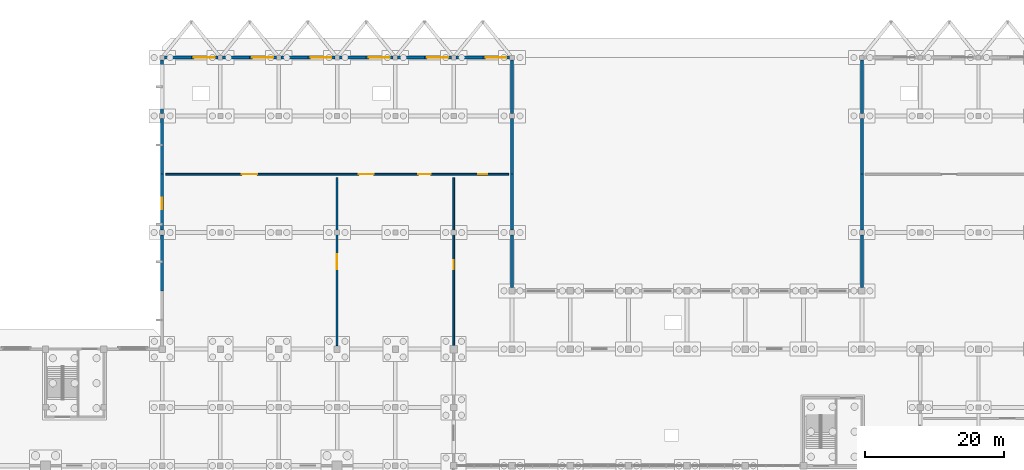
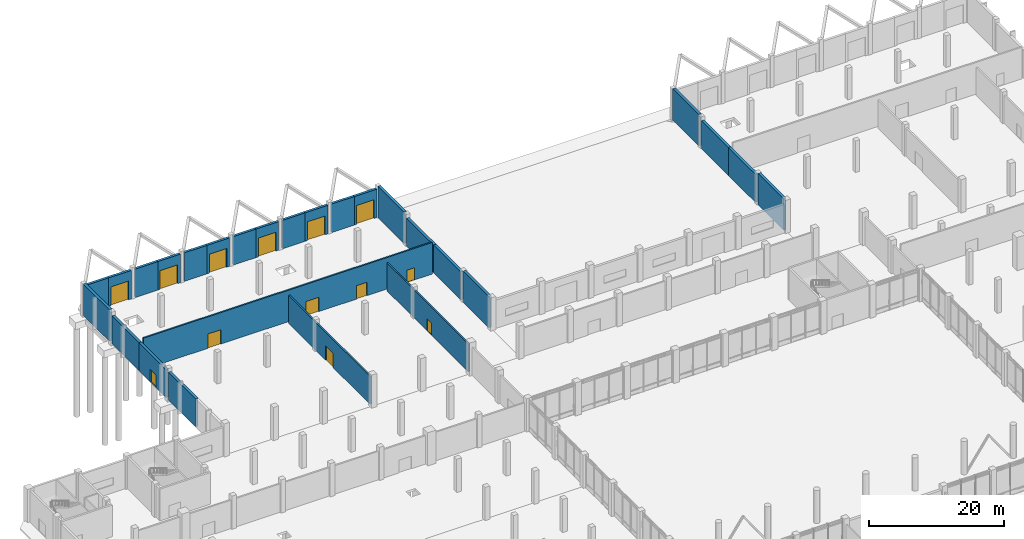
# One storey, part 61 of 72: 27 walls, 13 doors, 13 openings.
"""IFC4 building model written with IfcOpenShell, lengths in metres."""

from ifc_helpers import new_model, si_unit, direction, frame, frame_2d, origin, place, context, subcontext, project, spatial, rectangle, extrude, material, layer, layer_set, type_object, element, fill, save


model = new_model("IFC4")

# Units and contexts
model_context = context("Model", 3, precision=1e-05, world=origin(), true_north=direction((0.0, 1.0)))
body_context = subcontext(model_context, "Body", "Model", "MODEL_VIEW")
ifc_project = project(units=[si_unit("LENGTHUNIT", "METRE"), si_unit("AREAUNIT", "SQUARE_METRE"), si_unit("VOLUMEUNIT", "CUBIC_METRE"), si_unit("PLANEANGLEUNIT", "RADIAN"), si_unit("MASSUNIT", "GRAM", prefix="KILO")], contexts=[model_context])

# Site, building, storey
site_placement = place(None, origin())
site = spatial("IfcSite", under=ifc_project, at=site_placement, CompositionType="ELEMENT")
building_placement = place(site_placement, origin())
building = spatial("IfcBuilding", under=site, at=building_placement, Name="Qawsi Khor Wholesale Market", CompositionType="ELEMENT")
storey_placement = place(building_placement, origin())
storey = spatial("IfcBuildingStorey", under=building, at=storey_placement, Name="L00", CompositionType="ELEMENT", Elevation=0.0)

# Wall
ifc_material_1 = material(Name="Concrete C40/50", Category="concrete")
ifc_layer_1 = layer(ifc_material_1, 0.409912109375, Name="Concrete C40/50")
ifc_layer_set_1 = layer_set([ifc_layer_1], Name="Concrete C40/50")
wall_type_1 = type_object("IfcWallType", Name="Cold-Store Dock Apron Wall 410", PredefinedType="SOLIDWALL", material=ifc_layer_set_1)
wall_1_placement = place(storey_placement, frame((33.929931640625, 151.199951171875, 0.0), z_axis=(0.0, 0.0, 1.0), x_axis=(1.0, 0.0, 0.0)))
element("IfcWall", 1, at=wall_1_placement, inside=storey, type_object=wall_type_1, Name="EW-L00-NWC-DCK-01", PredefinedType="SOLIDWALL", context=body_context, shape_type="SweptSolid", body=[
    extrude(rectangle(XDim=3.8701171875, YDim=0.409912109375, at=frame_2d((1.93505859375, 0.0))), origin(), (0.0, 0.0, 1.0), 5.159912109375),
])

# Wall, opening, door
wall_2_placement = place(storey_placement, frame((37.800048828125, 151.199951171875, 0.0), z_axis=(0.0, 0.0, 1.0), x_axis=(1.0, 0.0, 0.0)))
wall_2 = element("IfcWall", 2, at=wall_2_placement, inside=storey, type_object=wall_type_1, Name="EW-L00-NWC-DCK-02", PredefinedType="SOLIDWALL", context=body_context, shape_type="SweptSolid", body=[
    extrude(rectangle(XDim=3.869873046875, YDim=0.409912109375, at=frame_2d((1.93505859375, 0.0))), origin(), (0.0, 0.0, 1.0), 5.159912109375),
])
opening_1_placement = place(wall_2_placement, frame((0.389892578125, 0.0, 0.0)))
opening_1 = element("IfcOpeningElement", 3, at=opening_1_placement, cuts=wall_2, Name="Opening DD-02", PredefinedType="OPENING", context=body_context, shape_type="SweptSolid", body=[
    extrude(rectangle(XDim=3.0, YDim=3.39990234375, at=frame_2d((1.5, 1.699951171875))), frame((0.0, 0.21484375, 0.0), z_axis=(0.0, -1.0, 0.0), x_axis=(1.0, 0.0, 0.0)), (0.0, 0.0, 1.0), 0.429931640625),
])
ifc_material_2 = material(Name="Powder-Coated Galvanised Steel & Glazing", Category="steel")
door_type_1 = type_object("IfcDoorType", Name="Cold-Store Rapid Dock Door 3000x3400", OperationType="NOTDEFINED", PredefinedType="DOOR", material=ifc_material_2)
door_1_placement = place(opening_1_placement, origin())
door_1 = element("IfcDoor", 4, at=door_1_placement, inside=storey, type_object=door_type_1, Name="Loading dock door NWC-02", OperationType="SLIDING_TO_RIGHT", OverallHeight=3.39990234375, OverallWidth=3.0, PredefinedType="DOOR", context=body_context, shape_type="SweptSolid", body=[
    extrude(rectangle(XDim=3.0, YDim=3.39990234375, at=frame_2d((1.5, 1.699951171875))), frame((0.0, 0.02490234375, 0.0), z_axis=(0.0, -1.0, 0.0), x_axis=(1.0, 0.0, 0.0)), (0.0, 0.0, 1.0), 0.050048828125),
])
fill(opening_1, door_1)

# Wall
wall_3_placement = place(storey_placement, frame((42.330078125, 151.199951171875, 0.0), z_axis=(0.0, 0.0, 1.0), x_axis=(1.0, 0.0, 0.0)))
element("IfcWall", 5, at=wall_3_placement, inside=storey, type_object=wall_type_1, Name="EW-L00-NWC-DCK-03", PredefinedType="SOLIDWALL", context=body_context, shape_type="SweptSolid", body=[
    extrude(rectangle(XDim=3.869873046875, YDim=0.409912109375, at=frame_2d((1.93505859375, 0.0))), origin(), (0.0, 0.0, 1.0), 5.159912109375),
])

# Wall, opening, door
wall_4_placement = place(storey_placement, frame((46.199951171875, 151.199951171875, 0.0), z_axis=(0.0, 0.0, 1.0), x_axis=(1.0, 0.0, 0.0)))
wall_4 = element("IfcWall", 6, at=wall_4_placement, inside=storey, type_object=wall_type_1, Name="EW-L00-NWC-DCK-04", PredefinedType="SOLIDWALL", context=body_context, shape_type="SweptSolid", body=[
    extrude(rectangle(XDim=3.8701171875, YDim=0.409912109375, at=frame_2d((1.93505859375, 0.0))), origin(), (0.0, 0.0, 1.0), 5.159912109375),
])
opening_2_placement = place(wall_4_placement, frame((0.389892578125, 0.0, 0.0)))
opening_2 = element("IfcOpeningElement", 7, at=opening_2_placement, cuts=wall_4, Name="Opening DD-02", PredefinedType="OPENING", context=body_context, shape_type="SweptSolid", body=[
    extrude(rectangle(XDim=3.0, YDim=3.39990234375, at=frame_2d((1.5, 1.699951171875))), frame((0.0, 0.21484375, 0.0), z_axis=(0.0, -1.0, 0.0), x_axis=(1.0, 0.0, 0.0)), (0.0, 0.0, 1.0), 0.429931640625),
])
door_2_placement = place(opening_2_placement, origin())
door_2 = element("IfcDoor", 8, at=door_2_placement, inside=storey, type_object=door_type_1, Name="Loading dock door NWC-04", OperationType="SLIDING_TO_RIGHT", OverallHeight=3.39990234375, OverallWidth=3.0, PredefinedType="DOOR", context=body_context, shape_type="SweptSolid", body=[
    extrude(rectangle(XDim=3.0, YDim=3.39990234375, at=frame_2d((1.5, 1.699951171875))), frame((0.0, 0.02490234375, 0.0), z_axis=(0.0, -1.0, 0.0), x_axis=(1.0, 0.0, 0.0)), (0.0, 0.0, 1.0), 0.050048828125),
])
fill(opening_2, door_2)

# Wall
wall_5_placement = place(storey_placement, frame((50.72998046875, 151.199951171875, 0.0), z_axis=(0.0, 0.0, 1.0), x_axis=(1.0, 0.0, 0.0)))
element("IfcWall", 9, at=wall_5_placement, inside=storey, type_object=wall_type_1, Name="EW-L00-NWC-DCK-05", PredefinedType="SOLIDWALL", context=body_context, shape_type="SweptSolid", body=[
    extrude(rectangle(XDim=3.8701171875, YDim=0.409912109375, at=frame_2d((1.93505859375, 0.0))), origin(), (0.0, 0.0, 1.0), 5.159912109375),
])

# Wall, opening, door
wall_6_placement = place(storey_placement, frame((54.60009765625, 151.199951171875, 0.0), z_axis=(0.0, 0.0, 1.0), x_axis=(1.0, 0.0, 0.0)))
wall_6 = element("IfcWall", 10, at=wall_6_placement, inside=storey, type_object=wall_type_1, Name="EW-L00-NWC-DCK-06", PredefinedType="SOLIDWALL", context=body_context, shape_type="SweptSolid", body=[
    extrude(rectangle(XDim=3.869873046875, YDim=0.409912109375, at=frame_2d((1.93505859375, 0.0))), origin(), (0.0, 0.0, 1.0), 5.159912109375),
])
opening_3_placement = place(wall_6_placement, frame((0.389892578125, 0.0, 0.0)))
opening_3 = element("IfcOpeningElement", 11, at=opening_3_placement, cuts=wall_6, Name="Opening DD-02", PredefinedType="OPENING", context=body_context, shape_type="SweptSolid", body=[
    extrude(rectangle(XDim=3.0, YDim=3.39990234375, at=frame_2d((1.5, 1.699951171875))), frame((0.0, 0.21484375, 0.0), z_axis=(0.0, -1.0, 0.0), x_axis=(1.0, 0.0, 0.0)), (0.0, 0.0, 1.0), 0.429931640625),
])
door_3_placement = place(opening_3_placement, origin())
door_3 = element("IfcDoor", 12, at=door_3_placement, inside=storey, type_object=door_type_1, Name="Loading dock door NWC-06", OperationType="SLIDING_TO_RIGHT", OverallHeight=3.39990234375, OverallWidth=3.0, PredefinedType="DOOR", context=body_context, shape_type="SweptSolid", body=[
    extrude(rectangle(XDim=3.0, YDim=3.39990234375, at=frame_2d((1.5, 1.699951171875))), frame((0.0, 0.02490234375, 0.0), z_axis=(0.0, -1.0, 0.0), x_axis=(1.0, 0.0, 0.0)), (0.0, 0.0, 1.0), 0.050048828125),
])
fill(opening_3, door_3)

# Wall
wall_7_placement = place(storey_placement, frame((59.1298828125, 151.199951171875, 0.0), z_axis=(0.0, 0.0, 1.0), x_axis=(1.0, 0.0, 0.0)))
element("IfcWall", 13, at=wall_7_placement, inside=storey, type_object=wall_type_1, Name="EW-L00-NWC-DCK-07", PredefinedType="SOLIDWALL", context=body_context, shape_type="SweptSolid", body=[
    extrude(rectangle(XDim=3.8701171875, YDim=0.409912109375, at=frame_2d((1.93505859375, 0.0))), origin(), (0.0, 0.0, 1.0), 5.159912109375),
])

# Wall, opening, door
wall_8_placement = place(storey_placement, frame((63.0, 151.199951171875, 0.0), z_axis=(0.0, 0.0, 1.0), x_axis=(1.0, 0.0, 0.0)))
wall_8 = element("IfcWall", 14, at=wall_8_placement, inside=storey, type_object=wall_type_1, Name="EW-L00-NWC-DCK-08", PredefinedType="SOLIDWALL", context=body_context, shape_type="SweptSolid", body=[
    extrude(rectangle(XDim=3.8701171875, YDim=0.409912109375, at=frame_2d((1.93505859375, 0.0))), origin(), (0.0, 0.0, 1.0), 5.159912109375),
])
opening_4_placement = place(wall_8_placement, frame((0.389892578125, 0.0, 0.0)))
opening_4 = element("IfcOpeningElement", 15, at=opening_4_placement, cuts=wall_8, Name="Opening DD-02", PredefinedType="OPENING", context=body_context, shape_type="SweptSolid", body=[
    extrude(rectangle(XDim=3.0, YDim=3.39990234375, at=frame_2d((1.5, 1.699951171875))), frame((0.0, 0.21484375, 0.0), z_axis=(0.0, -1.0, 0.0), x_axis=(1.0, 0.0, 0.0)), (0.0, 0.0, 1.0), 0.429931640625),
])
door_4_placement = place(opening_4_placement, origin())
door_4 = element("IfcDoor", 16, at=door_4_placement, inside=storey, type_object=door_type_1, Name="Loading dock door NWC-08", OperationType="SLIDING_TO_RIGHT", OverallHeight=3.39990234375, OverallWidth=3.0, PredefinedType="DOOR", context=body_context, shape_type="SweptSolid", body=[
    extrude(rectangle(XDim=3.0, YDim=3.39990234375, at=frame_2d((1.5, 1.699951171875))), frame((0.0, 0.02490234375, 0.0), z_axis=(0.0, -1.0, 0.0), x_axis=(1.0, 0.0, 0.0)), (0.0, 0.0, 1.0), 0.050048828125),
])
fill(opening_4, door_4)

# Wall
wall_9_placement = place(storey_placement, frame((67.530029296875, 151.199951171875, 0.0), z_axis=(0.0, 0.0, 1.0), x_axis=(1.0, 0.0, 0.0)))
element("IfcWall", 17, at=wall_9_placement, inside=storey, type_object=wall_type_1, Name="EW-L00-NWC-DCK-09", PredefinedType="SOLIDWALL", context=body_context, shape_type="SweptSolid", body=[
    extrude(rectangle(XDim=3.869873046875, YDim=0.409912109375, at=frame_2d((1.93505859375, 0.0))), origin(), (0.0, 0.0, 1.0), 5.159912109375),
])

# Wall, opening, door
wall_10_placement = place(storey_placement, frame((71.39990234375, 151.199951171875, 0.0), z_axis=(0.0, 0.0, 1.0), x_axis=(1.0, 0.0, 0.0)))
wall_10 = element("IfcWall", 18, at=wall_10_placement, inside=storey, type_object=wall_type_1, Name="EW-L00-NWC-DCK-10", PredefinedType="SOLIDWALL", context=body_context, shape_type="SweptSolid", body=[
    extrude(rectangle(XDim=3.8701171875, YDim=0.409912109375, at=frame_2d((1.93505859375, 0.0))), origin(), (0.0, 0.0, 1.0), 5.159912109375),
])
opening_5_placement = place(wall_10_placement, frame((0.389892578125, 0.0, 0.0)))
opening_5 = element("IfcOpeningElement", 19, at=opening_5_placement, cuts=wall_10, Name="Opening DD-02", PredefinedType="OPENING", context=body_context, shape_type="SweptSolid", body=[
    extrude(rectangle(XDim=3.0, YDim=3.39990234375, at=frame_2d((1.5, 1.699951171875))), frame((0.0, 0.21484375, 0.0), z_axis=(0.0, -1.0, 0.0), x_axis=(1.0, 0.0, 0.0)), (0.0, 0.0, 1.0), 0.429931640625),
])
door_5_placement = place(opening_5_placement, origin())
door_5 = element("IfcDoor", 20, at=door_5_placement, inside=storey, type_object=door_type_1, Name="Loading dock door NWC-10", OperationType="SLIDING_TO_RIGHT", OverallHeight=3.39990234375, OverallWidth=3.0, PredefinedType="DOOR", context=body_context, shape_type="SweptSolid", body=[
    extrude(rectangle(XDim=3.0, YDim=3.39990234375, at=frame_2d((1.5, 1.699951171875))), frame((0.0, 0.02490234375, 0.0), z_axis=(0.0, -1.0, 0.0), x_axis=(1.0, 0.0, 0.0)), (0.0, 0.0, 1.0), 0.050048828125),
])
fill(opening_5, door_5)

# Wall
wall_11_placement = place(storey_placement, frame((75.929931640625, 151.199951171875, 0.0), z_axis=(0.0, 0.0, 1.0), x_axis=(1.0, 0.0, 0.0)))
element("IfcWall", 21, at=wall_11_placement, inside=storey, type_object=wall_type_1, Name="EW-L00-NWC-DCK-11", PredefinedType="SOLIDWALL", context=body_context, shape_type="SweptSolid", body=[
    extrude(rectangle(XDim=3.8701171875, YDim=0.409912109375, at=frame_2d((1.93505859375, 0.0))), origin(), (0.0, 0.0, 1.0), 5.159912109375),
])

# Wall, opening, door
wall_12_placement = place(storey_placement, frame((79.800048828125, 151.199951171875, 0.0), z_axis=(0.0, 0.0, 1.0), x_axis=(1.0, 0.0, 0.0)))
wall_12 = element("IfcWall", 22, at=wall_12_placement, inside=storey, type_object=wall_type_1, Name="EW-L00-NWC-DCK-12", PredefinedType="SOLIDWALL", context=body_context, shape_type="SweptSolid", body=[
    extrude(rectangle(XDim=3.869873046875, YDim=0.409912109375, at=frame_2d((1.93505859375, 0.0))), origin(), (0.0, 0.0, 1.0), 5.159912109375),
])
opening_6_placement = place(wall_12_placement, frame((0.389892578125, 0.0, 0.0)))
opening_6 = element("IfcOpeningElement", 23, at=opening_6_placement, cuts=wall_12, Name="Opening DD-02", PredefinedType="OPENING", context=body_context, shape_type="SweptSolid", body=[
    extrude(rectangle(XDim=3.0, YDim=3.39990234375, at=frame_2d((1.5, 1.699951171875))), frame((0.0, 0.21484375, 0.0), z_axis=(0.0, -1.0, 0.0), x_axis=(1.0, 0.0, 0.0)), (0.0, 0.0, 1.0), 0.429931640625),
])
door_6_placement = place(opening_6_placement, origin())
door_6 = element("IfcDoor", 24, at=door_6_placement, inside=storey, type_object=door_type_1, Name="Loading dock door NWC-12", OperationType="SLIDING_TO_RIGHT", OverallHeight=3.39990234375, OverallWidth=3.0, PredefinedType="DOOR", context=body_context, shape_type="SweptSolid", body=[
    extrude(rectangle(XDim=3.0, YDim=3.39990234375, at=frame_2d((1.5, 1.699951171875))), frame((0.0, 0.02490234375, 0.0), z_axis=(0.0, -1.0, 0.0), x_axis=(1.0, 0.0, 0.0)), (0.0, 0.0, 1.0), 0.050048828125),
])
fill(opening_6, door_6)

# Wall, openings, doors
ifc_material_3 = material(Name="PIR-Insulated Precast Concrete C40/50", Category="concrete")
ifc_layer_2 = layer(ifc_material_3, 0.260009765625, Name="PIR-Insulated Precast Concrete C40/50")
ifc_layer_set_2 = layer_set([ifc_layer_2], Name="PIR-Insulated Precast Concrete C40/50")
wall_type_2 = type_object("IfcWallType", Name="Cold-Store Insulated Chamber Wall 260", PredefinedType="SOLIDWALL", material=ifc_layer_set_2)
wall_13_placement = place(storey_placement, frame((34.10009765625, 134.39990234375, 0.0), z_axis=(0.0, 0.0, 1.0), x_axis=(1.0, 0.0, 0.0)))
wall_13 = element("IfcWall", 25, at=wall_13_placement, inside=storey, type_object=wall_type_2, Name="PW-L00-001", PredefinedType="SOLIDWALL", context=body_context, shape_type="SweptSolid", body=[
    extrude(rectangle(XDim=49.39990234375, YDim=0.260009765625, at=frame_2d((24.699951171875, 0.0))), origin(), (0.0, 0.0, 1.0), 5.699951171875),
])
opening_7_placement = place(wall_13_placement, frame((11.0, 0.0, 0.0)))
opening_7 = element("IfcOpeningElement", 26, at=opening_7_placement, cuts=wall_13, Name="Opening ID-04", PredefinedType="OPENING", context=body_context, shape_type="SweptSolid", body=[
    extrude(rectangle(XDim=2.199951171875, YDim=2.60009765625, at=frame_2d((1.10009765625, 1.300048828125))), frame((0.0, 0.139892578125, 0.0), z_axis=(0.0, -1.0, 0.0), x_axis=(1.0, 0.0, 0.0)), (0.0, 0.0, 1.0), 0.280029296875),
])
opening_8_placement = place(wall_13_placement, frame((27.800048828125, 0.0, 0.0)))
opening_8 = element("IfcOpeningElement", 27, at=opening_8_placement, cuts=wall_13, Name="Opening ID-04", PredefinedType="OPENING", context=body_context, shape_type="SweptSolid", body=[
    extrude(rectangle(XDim=2.199951171875, YDim=2.60009765625, at=frame_2d((1.10009765625, 1.300048828125))), frame((0.0, 0.139892578125, 0.0), z_axis=(0.0, -1.0, 0.0), x_axis=(1.0, 0.0, 0.0)), (0.0, 0.0, 1.0), 0.280029296875),
])
opening_9_placement = place(wall_13_placement, frame((36.409912109375, 0.0, 0.0)))
opening_9 = element("IfcOpeningElement", 28, at=opening_9_placement, cuts=wall_13, Name="Opening ID-05", PredefinedType="OPENING", context=body_context, shape_type="SweptSolid", body=[
    extrude(rectangle(XDim=1.780029296875, YDim=2.419921875, at=frame_2d((0.89013671875, 1.2099609375))), frame((0.0, 0.139892578125, 0.0), z_axis=(0.0, -1.0, 0.0), x_axis=(1.0, 0.0, 0.0)), (0.0, 0.0, 1.0), 0.280029296875),
])
opening_10_placement = place(wall_13_placement, frame((45.0400390625, 0.0, 0.0)))
opening_10 = element("IfcOpeningElement", 29, at=opening_10_placement, cuts=wall_13, Name="Opening ID-13", PredefinedType="OPENING", context=body_context, shape_type="SweptSolid", body=[
    extrude(rectangle(XDim=1.320068359375, YDim=2.199951171875, at=frame_2d((0.66015625, 1.10009765625))), frame((0.0, 0.139892578125, 0.0), z_axis=(0.0, -1.0, 0.0), x_axis=(1.0, 0.0, 0.0)), (0.0, 0.0, 1.0), 0.280029296875),
])
ifc_material_4 = material(Name="Insulated Stainless Steel", Category="steel")
door_type_2 = type_object("IfcDoorType", Name="Cold-Store Insulated Sliding Door 2200x2600 FD60S", OperationType="NOTDEFINED", PredefinedType="DOOR", material=ifc_material_4)
door_7_placement = place(opening_7_placement, origin())
door_7 = element("IfcDoor", 30, at=door_7_placement, inside=storey, type_object=door_type_2, Name="Cold-Store Insulated Sliding Door 2200x2600 FD60S L00-001", OperationType="SLIDING_TO_LEFT", OverallHeight=2.60009765625, OverallWidth=2.199951171875, PredefinedType="DOOR", context=body_context, shape_type="SweptSolid", body=[
    extrude(rectangle(XDim=2.199951171875, YDim=2.60009765625, at=frame_2d((1.10009765625, 1.300048828125))), frame((0.0, 0.02490234375, 0.0), z_axis=(0.0, -1.0, 0.0), x_axis=(1.0, 0.0, 0.0)), (0.0, 0.0, 1.0), 0.050048828125),
])
fill(opening_7, door_7)
door_8_placement = place(opening_8_placement, origin())
door_8 = element("IfcDoor", 31, at=door_8_placement, inside=storey, type_object=door_type_2, Name="Cold-Store Insulated Sliding Door 2200x2600 FD60S L00-002", OperationType="SLIDING_TO_RIGHT", OverallHeight=2.60009765625, OverallWidth=2.199951171875, PredefinedType="DOOR", context=body_context, shape_type="SweptSolid", body=[
    extrude(rectangle(XDim=2.199951171875, YDim=2.60009765625, at=frame_2d((1.10009765625, 1.300048828125))), frame((0.0, 0.02490234375, 0.0), z_axis=(0.0, -1.0, 0.0), x_axis=(1.0, 0.0, 0.0)), (0.0, 0.0, 1.0), 0.050048828125),
])
fill(opening_8, door_8)
ifc_material_5 = material(Name="Galvanised Steel Fire Door", Category="steel")
door_type_3 = type_object("IfcDoorType", Name="Plant & Riser Fire Door 1320x2200 FD90S", OperationType="NOTDEFINED", PredefinedType="DOOR", material=ifc_material_5)
door_9_placement = place(opening_10_placement, origin())
door_9 = element("IfcDoor", 32, at=door_9_placement, inside=storey, type_object=door_type_3, Name="Plant & Riser Fire Door 1320x2200 FD90S L00-004", OperationType="SINGLE_SWING_RIGHT", OverallHeight=2.199951171875, OverallWidth=1.320068359375, PredefinedType="DOOR", context=body_context, shape_type="SweptSolid", body=[
    extrude(rectangle(XDim=1.320068359375, YDim=2.199951171875, at=frame_2d((0.66015625, 1.10009765625))), frame((0.0, 0.02490234375, 0.0), z_axis=(0.0, -1.0, 0.0), x_axis=(1.0, 0.0, 0.0)), (0.0, 0.0, 1.0), 0.050048828125),
])
fill(opening_10, door_9)
door_type_4 = type_object("IfcDoorType", Name="Ripening Room Gas-Tight Door 1780x2420 FD60S", OperationType="NOTDEFINED", PredefinedType="DOOR", material=ifc_material_4)
door_10_placement = place(opening_9_placement, origin())
door_10 = element("IfcDoor", 33, at=door_10_placement, inside=storey, type_object=door_type_4, Name="Ripening Room Gas-Tight Door 1780x2420 FD60S L00-003", OperationType="SINGLE_SWING_LEFT", OverallHeight=2.419921875, OverallWidth=1.780029296875, PredefinedType="DOOR", context=body_context, shape_type="SweptSolid", body=[
    extrude(rectangle(XDim=1.780029296875, YDim=2.419921875, at=frame_2d((0.89013671875, 1.2099609375))), frame((0.0, 0.02490234375, 0.0), z_axis=(0.0, -1.0, 0.0), x_axis=(1.0, 0.0, 0.0)), (0.0, 0.0, 1.0), 0.050048828125),
])
fill(opening_9, door_10)

# Wall, opening, door
wall_14_placement = place(storey_placement, frame((58.800048828125, 109.699951171875, 0.0), z_axis=(0.0, 0.0, 1.0), x_axis=(0.0, 1.0, 0.0)))
wall_14 = element("IfcWall", 34, at=wall_14_placement, inside=storey, type_object=wall_type_2, Name="PW-L00-002", PredefinedType="SOLIDWALL", context=body_context, shape_type="SweptSolid", body=[
    extrude(rectangle(XDim=24.199951171875, YDim=0.260009765625, at=frame_2d((12.10009765625, 0.0))), origin(), (0.0, 0.0, 1.0), 5.06005859375),
])
opening_11_placement = place(wall_14_placement, frame((11.0, 0.0, 0.0)))
opening_11 = element("IfcOpeningElement", 35, at=opening_11_placement, cuts=wall_14, Name="Opening ID-04", PredefinedType="OPENING", context=body_context, shape_type="SweptSolid", body=[
    extrude(rectangle(XDim=2.199951171875, YDim=2.60009765625, at=frame_2d((1.10009765625, 1.300048828125))), frame((0.0, 0.139892578125, 0.0), z_axis=(0.0, -1.0, 0.0), x_axis=(1.0, 0.0, 0.0)), (0.0, 0.0, 1.0), 0.280029296875),
])
door_11_placement = place(opening_11_placement, origin())
door_11 = element("IfcDoor", 36, at=door_11_placement, inside=storey, type_object=door_type_2, Name="Cold-Store Insulated Sliding Door 2200x2600 FD60S L00-005", OperationType="SLIDING_TO_LEFT", OverallHeight=2.60009765625, OverallWidth=2.199951171875, PredefinedType="DOOR", context=body_context, shape_type="SweptSolid", body=[
    extrude(rectangle(XDim=2.199951171875, YDim=2.60009765625, at=frame_2d((1.10009765625, 1.300048828125))), frame((0.0, 0.02490234375, 0.0), z_axis=(0.0, -1.0, 0.0), x_axis=(1.0, 0.0, 0.0)), (0.0, 0.0, 1.0), 0.050048828125),
])
fill(opening_11, door_11)

# Walls
ifc_layer_3 = layer(ifc_material_1, 0.449951171875, Name="Concrete C40/50")
ifc_layer_set_3 = layer_set([ifc_layer_3], Name="Concrete C40/50")
wall_type_3 = type_object("IfcWallType", Name="Cold-Store Thermal Sandwich Concrete Wall 450", PredefinedType="SOLIDWALL", material=ifc_layer_set_3)
wall_15_placement = place(storey_placement, frame((33.60009765625, 117.60009765625, 0.0), z_axis=(0.0, 0.0, 1.0), x_axis=(0.0, 1.0, 0.0)))
element("IfcWall", 37, at=wall_15_placement, inside=storey, type_object=wall_type_3, Name="EW-L00-NWC-OUT-14", PredefinedType="SOLIDWALL", context=body_context, shape_type="SweptSolid", body=[
    extrude(rectangle(XDim=8.02001953125, YDim=0.449951171875, at=frame_2d((4.010009765625, 0.0))), origin(), (0.0, 0.0, 1.0), 5.06005859375),
])
wall_16_placement = place(storey_placement, frame((84.0, 125.6201171875, 0.0), z_axis=(0.0, 0.0, 1.0), x_axis=(0.0, -1.0, 0.0)))
element("IfcWall", 38, at=wall_16_placement, inside=storey, type_object=wall_type_3, Name="EW-L00-NWC-IN-14", PredefinedType="SOLIDWALL", context=body_context, shape_type="SweptSolid", body=[
    extrude(rectangle(XDim=7.565185546875, YDim=0.449951171875, at=frame_2d((3.78271484375, 0.0))), origin(), (0.0, 0.0, 1.0), 5.699951171875),
])

# Wall, opening, door
wall_17_placement = place(storey_placement, frame((33.60009765625, 126.3798828125, 0.0), z_axis=(0.0, 0.0, 1.0), x_axis=(0.0, 1.0, 0.0)))
wall_17 = element("IfcWall", 39, at=wall_17_placement, inside=storey, type_object=wall_type_3, Name="EW-L00-NWC-OUT-15", PredefinedType="SOLIDWALL", context=body_context, shape_type="SweptSolid", body=[
    extrude(rectangle(XDim=8.02001953125, YDim=0.449951171875, at=frame_2d((4.010009765625, 0.0))), origin(), (0.0, 0.0, 1.0), 5.06005859375),
])
opening_12_placement = place(wall_17_placement, frame((2.97998046875, 0.0, 0.0)))
opening_12 = element("IfcOpeningElement", 40, at=opening_12_placement, cuts=wall_17, Name="Opening ED-08", PredefinedType="OPENING", context=body_context, shape_type="SweptSolid", body=[
    extrude(rectangle(XDim=1.679931640625, YDim=2.239990234375, at=frame_2d((0.83984375, 1.1201171875))), frame((0.0, 0.23486328125, 0.0), z_axis=(0.0, -1.0, 0.0), x_axis=(1.0, 0.0, 0.0)), (0.0, 0.0, 1.0), 0.469970703125),
])
door_type_5 = type_object("IfcDoorType", Name="Plant & Substation Louvred Double Door 1680x2240 FD90S", OperationType="NOTDEFINED", PredefinedType="DOOR", material=ifc_material_2)
door_12_placement = place(opening_12_placement, origin())
door_12 = element("IfcDoor", 41, at=door_12_placement, inside=storey, type_object=door_type_5, Name="NWC Plant Exit Door", OperationType="DOUBLE_DOOR_SINGLE_SWING", OverallHeight=2.239990234375, OverallWidth=1.679931640625, PredefinedType="DOOR", context=body_context, shape_type="SweptSolid", body=[
    extrude(rectangle(XDim=1.679931640625, YDim=2.239990234375, at=frame_2d((0.83984375, 1.1201171875))), frame((0.0, 0.02490234375, 0.0), z_axis=(0.0, -1.0, 0.0), x_axis=(1.0, 0.0, 0.0)), (0.0, 0.0, 1.0), 0.050048828125),
])
fill(opening_12, door_12)

# Walls
for number, where, z_axis, x_axis, name in (
    (42, (84.0, 134.39990234375, 0.0), (0.0, 0.0, 1.0), (0.0, -1.0, 0.0), "EW-L00-NWC-IN-15"),
    (43, (33.60009765625, 134.39990234375, 0.0), (0.0, 0.0, 1.0), (0.0, 1.0, 0.0), "EW-L00-NWC-OUT-16"),
    (44, (84.0, 142.419921875, 0.0), (0.0, 0.0, 1.0), (0.0, -1.0, 0.0), "EW-L00-NWC-IN-16"),
):
    element("IfcWall", number, at=place(storey_placement, frame(where, z_axis=z_axis, x_axis=x_axis)), inside=storey, type_object=wall_type_3, Name=name, PredefinedType="SOLIDWALL", context=body_context, shape_type="SweptSolid", body=[
        extrude(rectangle(XDim=8.02001953125, YDim=0.449951171875, at=frame_2d((4.010009765625, 0.0))), origin(), (0.0, 0.0, 1.0), 5.06005859375),
    ])
for number, where, z_axis, x_axis, name in (
    (45, (33.60009765625, 143.179931640625, 0.0), (0.0, 0.0, 1.0), (0.0, 1.0, 0.0), "EW-L00-NWC-OUT-17"),
    (46, (84.0, 150.8701171875, 0.0), (0.0, 0.0, 1.0), (0.0, -1.0, 0.0), "EW-L00-NWC-IN-17"),
):
    element("IfcWall", number, at=place(storey_placement, frame(where, z_axis=z_axis, x_axis=x_axis)), inside=storey, type_object=wall_type_3, Name=name, PredefinedType="SOLIDWALL", context=body_context, shape_type="SweptSolid", body=[
        extrude(rectangle(XDim=7.690185546875, YDim=0.449951171875, at=frame_2d((3.84521484375, 0.0))), origin(), (0.0, 0.0, 1.0), 5.699951171875),
    ])
wall_18_placement = place(storey_placement, frame((134.39990234375, 118.054931640625, 0.0), z_axis=(0.0, 0.0, 1.0), x_axis=(0.0, 1.0, 0.0)))
element("IfcWall", 47, at=wall_18_placement, inside=storey, type_object=wall_type_3, Name="EW-L00-NEC-IN-14", PredefinedType="SOLIDWALL", context=body_context, shape_type="SweptSolid", body=[
    extrude(rectangle(XDim=7.565185546875, YDim=0.449951171875, at=frame_2d((3.78271484375, 0.0))), origin(), (0.0, 0.0, 1.0), 5.699951171875),
])
for number, where, z_axis, x_axis, name in (
    (48, (134.39990234375, 126.3798828125, 0.0), (0.0, 0.0, 1.0), (0.0, 1.0, 0.0), "EW-L00-NEC-IN-15"),
    (49, (134.39990234375, 134.39990234375, 0.0), (0.0, 0.0, 1.0), (0.0, 1.0, 0.0), "EW-L00-NEC-IN-16"),
):
    element("IfcWall", number, at=place(storey_placement, frame(where, z_axis=z_axis, x_axis=x_axis)), inside=storey, type_object=wall_type_3, Name=name, PredefinedType="SOLIDWALL", context=body_context, shape_type="SweptSolid", body=[
        extrude(rectangle(XDim=8.02001953125, YDim=0.449951171875, at=frame_2d((4.010009765625, 0.0))), origin(), (0.0, 0.0, 1.0), 5.06005859375),
    ])
wall_19_placement = place(storey_placement, frame((134.39990234375, 143.179931640625, 0.0), z_axis=(0.0, 0.0, 1.0), x_axis=(0.0, 1.0, 0.0)))
element("IfcWall", 50, at=wall_19_placement, inside=storey, type_object=wall_type_3, Name="EW-L00-NEC-IN-17", PredefinedType="SOLIDWALL", context=body_context, shape_type="SweptSolid", body=[
    extrude(rectangle(XDim=7.690185546875, YDim=0.449951171875, at=frame_2d((3.84521484375, 0.0))), origin(), (0.0, 0.0, 1.0), 5.699951171875),
])

# Wall, opening, door
ifc_material_6 = material(Name="Concrete Blockwork & Plaster", Category="masonry")
ifc_layer_4 = layer(ifc_material_6, 0.25, Name="Concrete Blockwork & Plaster")
ifc_layer_set_4 = layer_set([ifc_layer_4], Name="Concrete Blockwork & Plaster")
wall_type_4 = type_object("IfcWallType", Name="Fire Compartment Masonry Wall 250", PredefinedType="SOLIDWALL", material=ifc_layer_set_4)
wall_20_placement = place(storey_placement, frame((75.60009765625, 109.699951171875, 0.0), z_axis=(0.0, 0.0, 1.0), x_axis=(0.0, 1.0, 0.0)))
wall_20 = element("IfcWall", 51, at=wall_20_placement, inside=storey, type_object=wall_type_4, Name="PW-L00-003", PredefinedType="SOLIDWALL", context=body_context, shape_type="SweptSolid", body=[
    extrude(rectangle(XDim=24.199951171875, YDim=0.25, at=frame_2d((12.10009765625, 0.0))), origin(), (0.0, 0.0, 1.0), 5.06005859375),
])
opening_13_placement = place(wall_20_placement, frame((11.0, 0.0, 0.0)))
opening_13 = element("IfcOpeningElement", 52, at=opening_13_placement, cuts=wall_20, Name="Opening ID-13", PredefinedType="OPENING", context=body_context, shape_type="SweptSolid", body=[
    extrude(rectangle(XDim=1.320068359375, YDim=2.199951171875, at=frame_2d((0.66015625, 1.10009765625))), frame((0.0, 0.135009765625, 0.0), z_axis=(0.0, -1.0, 0.0), x_axis=(1.0, 0.0, 0.0)), (0.0, 0.0, 1.0), 0.27001953125),
])
door_13_placement = place(opening_13_placement, origin())
door_13 = element("IfcDoor", 53, at=door_13_placement, inside=storey, type_object=door_type_3, Name="Plant & Riser Fire Door 1320x2200 FD90S L00-006", OperationType="SINGLE_SWING_RIGHT", OverallHeight=2.199951171875, OverallWidth=1.320068359375, PredefinedType="DOOR", context=body_context, shape_type="SweptSolid", body=[
    extrude(rectangle(XDim=1.320068359375, YDim=2.199951171875, at=frame_2d((0.66015625, 1.10009765625))), frame((0.0, 0.02490234375, 0.0), z_axis=(0.0, -1.0, 0.0), x_axis=(1.0, 0.0, 0.0)), (0.0, 0.0, 1.0), 0.050048828125),
])
fill(opening_13, door_13)

save(model, "model.ifc")
